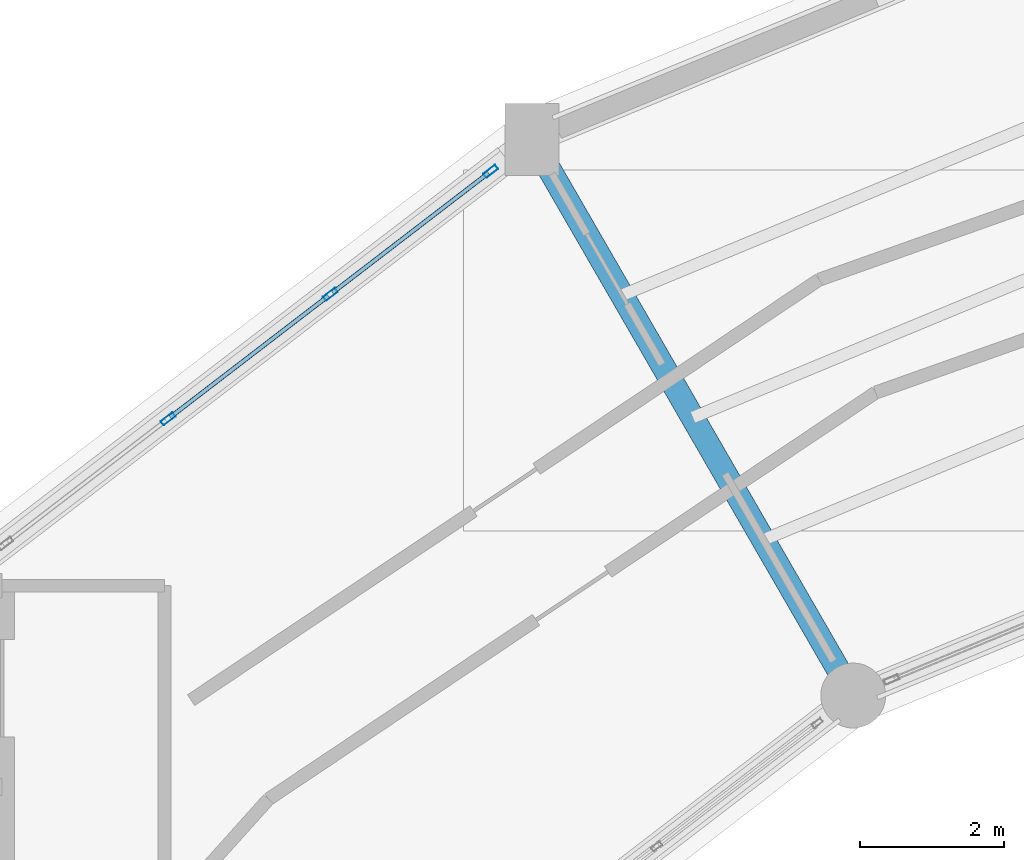
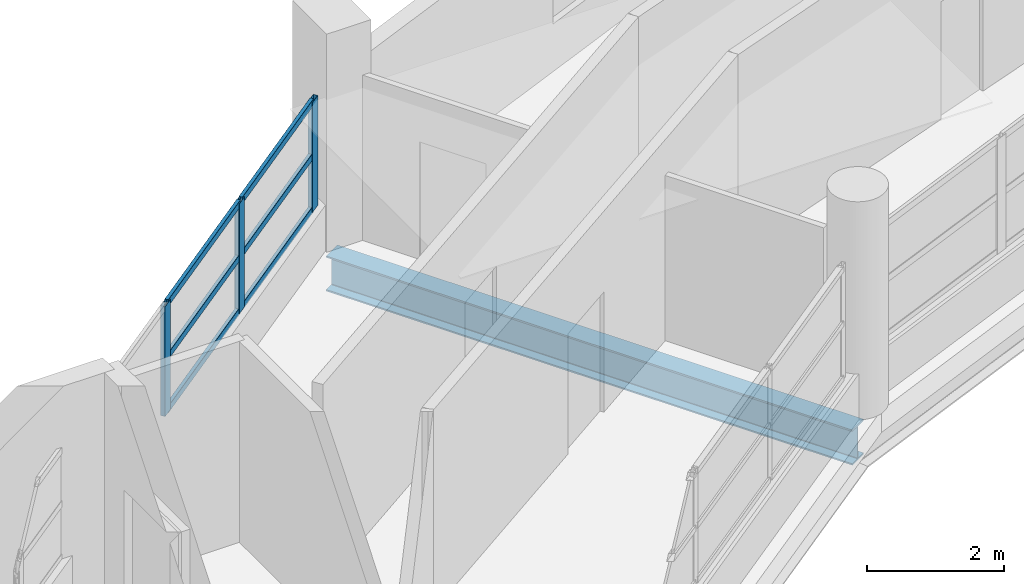
# One storey, part 64 of 108: 9 members, 1 beam, 1 element without a shape of its own.
"""IFC4 building model written with IfcOpenShell, lengths in metres."""

import ifcopenshell
import ifcopenshell.guid

model = None  # the IFC model being written
_history = None  # IfcOwnerHistory: only IFC2X3 demands one
_inside = {}  # id of a spatial element -> (the spatial element, [elements in it])
_under = {}  # id of a project, library or spatial element -> (it, [spatial elements below it])
_declared = {}  # id of a project -> (the project, [libraries it declares])
_typed = {}  # id of a type object -> (the type object, [elements of that type])
_made_of = {}  # id of a material, layer set ... -> (it, [elements and type objects made of it])


def new_model(schema):
    """Start an empty IFC model of exactly this schema.

    Asked for "IFC4X3", IfcOpenShell would pick the latest addendum, in which some entities
    have other attributes; the version numbers below select the first issue.
    IFC2X3 requires an IfcOwnerHistory on every rooted entity: one is made here for all.
    """
    global model, _history
    if schema == "IFC4X3":
        model = ifcopenshell.file(schema_version=(4, 3, 0, 0))
    else:
        model = ifcopenshell.file(schema=schema)
    _inside.clear()
    _under.clear()
    _declared.clear()
    _typed.clear()
    _made_of.clear()
    _history = None
    if model.schema == "IFC2X3":
        org = make("IfcOrganization", Name="unknown")
        user = make(
            "IfcPersonAndOrganization",
            ThePerson=make("IfcPerson", FamilyName="unknown"),
            TheOrganization=org,
        )
        app = make(
            "IfcApplication",
            ApplicationDeveloper=org,
            Version="unknown",
            ApplicationFullName="unknown",
            ApplicationIdentifier="unknown",
        )
        _history = make(
            "IfcOwnerHistory",
            OwningUser=user,
            OwningApplication=app,
            ChangeAction="ADDED",
            CreationDate=0,
        )
    return model


def make(cls, **values):
    """One entity of the class cls with the attributes given. An attribute that is None is left unset."""
    return model.create_entity(
        cls, **{name: value for name, value in values.items() if value is not None}
    )


def rooted(cls, **values):
    """An entity with a GlobalId (a new one), such as an element, a storey or a relation."""
    return make(cls, GlobalId=ifcopenshell.guid.new(), OwnerHistory=_history, **values)


def si_unit(unit_type, name, prefix=None):
    """IfcSIUnit, for example si_unit("LENGTHUNIT", "METRE", prefix="MILLI")."""
    return make("IfcSIUnit", UnitType=unit_type, Prefix=prefix, Name=name)


def assignment(units):
    """IfcUnitAssignment: the units of a project."""
    return None if units is None else make("IfcUnitAssignment", Units=units)


def point(xyz):
    """IfcCartesianPoint."""
    return None if xyz is None else make("IfcCartesianPoint", Coordinates=xyz)


def direction(xyz):
    """IfcDirection."""
    return None if xyz is None else make("IfcDirection", DirectionRatios=xyz)


def frame(location, z_axis=None, x_axis=None):
    """IfcAxis2Placement3D, a coordinate frame: its origin and axes. An axis left out is left unset."""
    return make(
        "IfcAxis2Placement3D",
        Location=point(location),
        Axis=direction(z_axis),
        RefDirection=direction(x_axis),
    )


def frame_2d(location, x_axis=None):
    """IfcAxis2Placement2D, a coordinate frame in the plane: its origin and x axis."""
    return make(
        "IfcAxis2Placement2D", Location=point(location), RefDirection=direction(x_axis)
    )


def origin():
    """The frame at (0, 0, 0) with its axes left unset."""
    return frame((0.0, 0.0, 0.0))


def origin_2d():
    """The frame at (0, 0) in the plane with its x axis left unset."""
    return frame_2d((0.0, 0.0))


def place(relative_to, where):
    """IfcLocalPlacement: puts the frame where relative to a parent placement (None: the world)."""
    return make(
        "IfcLocalPlacement", PlacementRelTo=relative_to, RelativePlacement=where
    )


def context(
    kind, dimensions, precision=None, world=None, true_north=None, identifier=None
):
    """IfcGeometricRepresentationContext, for example the 3D "Model" context."""
    return make(
        "IfcGeometricRepresentationContext",
        ContextIdentifier=identifier,
        ContextType=kind,
        CoordinateSpaceDimension=dimensions,
        Precision=precision,
        WorldCoordinateSystem=world,
        TrueNorth=true_north,
    )


def subcontext(parent, identifier, kind, view, scale=None):
    """IfcGeometricRepresentationSubContext, for example "Body" below "Model"."""
    return make(
        "IfcGeometricRepresentationSubContext",
        ContextIdentifier=identifier,
        ContextType=kind,
        ParentContext=parent,
        TargetScale=scale,
        TargetView=view,
    )


def project(units=None, contexts=None):
    """IfcProject with its units and contexts."""
    return rooted(
        "IfcProject",
        Name="project",
        RepresentationContexts=contexts,
        UnitsInContext=assignment(units),
    )


def spatial(cls, under=None, at=None, **own):
    """A site, building, storey or space (cls), placed at a placement, below another one or the project."""
    s = rooted(cls, ObjectPlacement=at, **own)
    if under is not None:
        _under.setdefault(under.id(), (under, []))[1].append(s)
    return s


def profile(cls, at=None, kind="AREA", **sizes):
    """A parametric profile (cls). Its sizes go by their IFC names, for example OverallWidth=200.0."""
    return make(cls, ProfileType=kind, Position=at, **sizes)


def hollow_rectangle(**sizes):
    """IfcRectangleHollowProfileDef."""
    return profile("IfcRectangleHollowProfileDef", **sizes)


def i_section(**sizes):
    """IfcIShapeProfileDef."""
    return profile("IfcIShapeProfileDef", **sizes)


def extrude(swept, where, along, depth):
    """IfcExtrudedAreaSolid: the profile swept, set in the frame where, extruded along a direction by depth."""
    return make(
        "IfcExtrudedAreaSolid",
        SweptArea=swept,
        Position=where,
        ExtrudedDirection=direction(along),
        Depth=depth,
    )


def shape(context_of_items, identifier, shape_type, items):
    """IfcShapeRepresentation: the items that make up one representation, for example the "Body"."""
    return make(
        "IfcShapeRepresentation",
        ContextOfItems=context_of_items,
        RepresentationIdentifier=identifier,
        RepresentationType=shape_type,
        Items=items,
    )


def material(Name=None, Category=None):
    """IfcMaterial."""
    return make("IfcMaterial", Name=Name, Category=Category)


def layer(
    of_material, thickness, ventilated=None, Name=None, Category=None, Priority=None
):
    """IfcMaterialLayer: one layer of a wall or slab, of a material (None: an air gap)."""
    return make(
        "IfcMaterialLayer",
        Material=of_material,
        LayerThickness=thickness,
        IsVentilated=ventilated,
        Name=Name,
        Category=Category,
        Priority=Priority,
    )


def layer_set(layers, Name=None):
    """IfcMaterialLayerSet."""
    return make("IfcMaterialLayerSet", MaterialLayers=layers, LayerSetName=Name)


def material_profile(
    of_material, cross_section, Name=None, Category=None, Priority=None
):
    """IfcMaterialProfile: a cross section and its material."""
    return make(
        "IfcMaterialProfile",
        Name=Name,
        Material=of_material,
        Profile=cross_section,
        Priority=Priority,
        Category=Category,
    )


def profile_set(profiles, Name=None, composite=None):
    """IfcMaterialProfileSet."""
    return make(
        "IfcMaterialProfileSet",
        Name=Name,
        MaterialProfiles=profiles,
        CompositeProfile=composite,
    )


def made_of(thing, what):
    """Note that an element or type object is made of a material, layer set ...; save() writes the relation."""
    if what is not None:
        _made_of.setdefault(what.id(), (what, []))[1].append(thing)
    return thing


def type_object(cls, material=None, **own):
    """A type object (cls), such as IfcWallType, which elements share."""
    return made_of(rooted(cls, **own), material)


def element(
    cls,
    number,
    at=None,
    inside=None,
    cuts=None,
    type_object=None,
    material=None,
    context=None,
    identifier="Body",
    shape_type=None,
    held_by="IfcProductDefinitionShape",
    body=None,
    shapes=None,
    **own,
):
    """One element of the class cls, such as IfcWall. Its Tag is "e" and its number.

    at: its placement. inside: the storey or other place that contains it. cuts: it is an
    opening in that element (IfcRelVoidsElement). A single representation is given by context,
    identifier, shape_type and body (its items); several are given by shapes. held_by: the class
    of the entity that holds the representations. save() writes the other relations.
    """
    e = rooted(cls, Tag="e%d" % number, ObjectPlacement=at, **own)
    if body is not None:
        shapes = [shape(context, identifier, shape_type, body)]
    if shapes is not None:
        e.Representation = make(held_by, Representations=shapes)
    if inside is not None:
        _inside.setdefault(inside.id(), (inside, []))[1].append(e)
    if cuts is not None:
        rooted(
            "IfcRelVoidsElement", RelatingBuildingElement=cuts, RelatedOpeningElement=e
        )
    if type_object is not None:
        _typed.setdefault(type_object.id(), (type_object, []))[1].append(e)
    return made_of(e, material)


def aggregate(whole, parts):
    """IfcRelAggregates: a whole, such as a stair, and the parts it consists of."""
    return rooted("IfcRelAggregates", RelatingObject=whole, RelatedObjects=parts)


def save(model, path):
    """Write the relations noted so far, then the file.

    IfcRelAggregates (storeys below a building ...), IfcRelContainedInSpatialStructure (elements
    in a storey), IfcRelDefinesByType, IfcRelAssociatesMaterial and IfcRelDeclares: one each for
    every whole, place, type object, material and project.
    """
    for whole, parts in _under.values():
        aggregate(whole, parts)
    for where, things in _inside.values():
        rooted(
            "IfcRelContainedInSpatialStructure",
            RelatedElements=things,
            RelatingStructure=where,
        )
    for kind, things in _typed.values():
        rooted("IfcRelDefinesByType", RelatedObjects=things, RelatingType=kind)
    for what, things in _made_of.values():
        rooted("IfcRelAssociatesMaterial", RelatedObjects=things, RelatingMaterial=what)
    for by, libraries in _declared.values():
        rooted("IfcRelDeclares", RelatingContext=by, RelatedDefinitions=libraries)
    model.write(path)


model = new_model("IFC4")

# Units and contexts
model_context = context("Model", 3, precision=1e-05, world=origin(), true_north=direction((0.0, 1.0)))
body_context = subcontext(model_context, "Body", "Model", "MODEL_VIEW")
ifc_project = project(units=[si_unit("LENGTHUNIT", "METRE"), si_unit("AREAUNIT", "SQUARE_METRE"), si_unit("VOLUMEUNIT", "CUBIC_METRE"), si_unit("PLANEANGLEUNIT", "RADIAN"), si_unit("MASSUNIT", "GRAM", prefix="KILO")], contexts=[model_context])

# Site, building, storey
site_placement = place(None, origin())
site = spatial("IfcSite", under=ifc_project, at=site_placement, CompositionType="ELEMENT")
building_placement = place(site_placement, origin())
building = spatial("IfcBuilding", under=site, at=building_placement, Name="Vespera Passage Community Centre", CompositionType="ELEMENT")
storey_placement = place(building_placement, frame((0.0, 0.0, 12.60009765625)))
storey = spatial("IfcBuildingStorey", under=building, at=storey_placement, Name="L03", CompositionType="ELEMENT", Elevation=12.60009765625)

# Beam
ifc_material_1 = material(Name="Steel ASTM A992 Grade 50", Category="steel")
ifc_material_profile_1 = material_profile(ifc_material_1, i_section(OverallWidth=0.32763671875, OverallDepth=0.62841796875, WebThickness=0.0166015625, FlangeThickness=0.027587890625, FilletRadius=0.0126953125, at=origin_2d()), Name="W24X146")
ifc_profile_set_1 = profile_set([ifc_material_profile_1], Name="Steel ASTM A992 Grade 50")
beam_type = type_object("IfcBeamType", Name="BM-G-W24X146", PredefinedType="BEAM", material=ifc_profile_set_1)
beam_placement = place(storey_placement, frame((59.39990234375, 97.716064453125, -0.71435546875), z_axis=(-0.499989191739, 0.866031643847, 0.0), x_axis=(-0.866031643847, -0.499989191739, 0.0)))
element("IfcBeam", 1, at=beam_placement, inside=storey, type_object=beam_type, Name="V4 L03 Radial Girder 8", PredefinedType="BEAM", context=body_context, shape_type="SweptSolid", body=[
    extrude(i_section(OverallWidth=0.32763671875, OverallDepth=0.62841796875, WebThickness=0.0166015625, FlangeThickness=0.027587890625, FilletRadius=0.0126953125, at=origin_2d()), origin(), (0.0, 0.0, 1.0), 8.900146484375),
])

# Curtain wall, members
ifc_material_2 = material(Name="Anodized aluminium 6063-T6", Category="aluminium")
ifc_layer = layer(ifc_material_2, 0.159912109375)
ifc_layer_set = layer_set([ifc_layer], Name="Anodized aluminium 6063-T6")
curtain_wall_type = type_object("IfcCurtainWallType", Name="CW-44E", PredefinedType="NOTDEFINED", material=ifc_layer_set)
curtain_wall_placement = place(storey_placement, origin())
curtain_wall = element("IfcCurtainWall", 2, at=curtain_wall_placement, inside=storey, type_object=curtain_wall_type, Name="V4 L03 Outer Ribbon Curtain Wall 8", PredefinedType="NOTDEFINED")
ifc_material_3 = material(Name="Anodized aluminium 6063-T6", Category="aluminium")
ifc_material_profile_2 = material_profile(ifc_material_3, hollow_rectangle(XDim=0.074951171875, YDim=0.2099609375, WallThickness=0.0048828125, InnerFilletRadius=0.00244140625, OuterFilletRadius=0.0048828125, at=origin_2d()), Name="ALU210X75X5")
ifc_profile_set_2 = profile_set([ifc_material_profile_2], Name="Anodized aluminium 6063-T6")
member_type_1 = type_object("IfcMemberType", Name="MB-CWM-210E", PredefinedType="MULLION", material=ifc_profile_set_2)
member_1_placement = place(storey_placement, frame((49.9033203125, 101.551513671875, 0.81982421875), z_axis=(0.0, 0.0, 1.0), x_axis=(-0.608768221519, 0.793348128169, 0.0)))
member_1 = element("IfcMember", 3, at=member_1_placement, type_object=member_type_1, Name="CW-44E mullion 3", PredefinedType="MULLION", context=body_context, shape_type="SweptSolid", body=[
    extrude(hollow_rectangle(XDim=0.074951171875, YDim=0.2099609375, WallThickness=0.0048828125, InnerFilletRadius=0.00244140625, OuterFilletRadius=0.0048828125, at=origin_2d()), origin(), (0.0, 0.0, 1.0), 1.965576171875),
])
member_2_placement = place(storey_placement, frame((52.15380859375, 103.2783203125, 0.81982421875), z_axis=(0.0, 0.0, 1.0), x_axis=(-0.608768221519, 0.793348128169, 0.0)))
member_2 = element("IfcMember", 4, at=member_2_placement, type_object=member_type_1, Name="CW-44E mullion 4", PredefinedType="MULLION", context=body_context, shape_type="SweptSolid", body=[
    extrude(hollow_rectangle(XDim=0.074951171875, YDim=0.2099609375, WallThickness=0.0048828125, InnerFilletRadius=0.00244140625, OuterFilletRadius=0.0048828125, at=origin_2d()), origin(), (0.0, 0.0, 1.0), 1.965576171875),
])
member_3_placement = place(storey_placement, frame((54.374755859375, 104.982421875, 0.81982421875), z_axis=(0.0, 0.0, 1.0), x_axis=(-0.608768221519, 0.793348128169, 0.0)))
member_3 = element("IfcMember", 5, at=member_3_placement, type_object=member_type_1, Name="CW-44E mullion 5", PredefinedType="MULLION", context=body_context, shape_type="SweptSolid", body=[
    extrude(hollow_rectangle(XDim=0.074951171875, YDim=0.2099609375, WallThickness=0.0048828125, InnerFilletRadius=0.00244140625, OuterFilletRadius=0.0048828125, at=origin_2d()), origin(), (0.0, 0.0, 1.0), 1.965576171875),
])
ifc_material_4 = material(Name="Anodized aluminium 6063-T6", Category="aluminium")
ifc_material_profile_3 = material_profile(ifc_material_4, hollow_rectangle(XDim=0.06005859375, YDim=0.1201171875, WallThickness=0.00390625, InnerFilletRadius=0.001953125, OuterFilletRadius=0.00390625, at=origin_2d()), Name="ALU120X60X4")
ifc_profile_set_3 = profile_set([ifc_material_profile_3], Name="Anodized aluminium 6063-T6")
member_type_2 = type_object("IfcMemberType", Name="MB-CWT-120E", PredefinedType="USERDEFINED", material=ifc_profile_set_3)
member_4_placement = place(storey_placement, frame((49.93310546875, 101.57421875, 0.849853515625), z_axis=(0.793385774295, 0.60871915786, 0.0), x_axis=(-0.60871915786, 0.793385774295, 0.0)))
member_4 = element("IfcMember", 6, at=member_4_placement, type_object=member_type_2, Name="CW-44E transom 3.1", ObjectType="TRANSOM", PredefinedType="USERDEFINED", context=body_context, shape_type="SweptSolid", body=[
    extrude(hollow_rectangle(XDim=0.06005859375, YDim=0.1201171875, WallThickness=0.00390625, InnerFilletRadius=0.001953125, OuterFilletRadius=0.00390625, at=origin_2d()), origin(), (0.0, 0.0, 1.0), 2.76171875),
])
member_5_placement = place(storey_placement, frame((49.93310546875, 101.57421875, 1.802734375), z_axis=(0.793385774295, 0.60871915786, 0.0), x_axis=(-0.60871915786, 0.793385774295, 0.0)))
member_5 = element("IfcMember", 7, at=member_5_placement, type_object=member_type_2, Name="CW-44E transom 3.2", ObjectType="TRANSOM", PredefinedType="USERDEFINED", context=body_context, shape_type="SweptSolid", body=[
    extrude(hollow_rectangle(XDim=0.06005859375, YDim=0.1201171875, WallThickness=0.00390625, InnerFilletRadius=0.001953125, OuterFilletRadius=0.00390625, at=origin_2d()), origin(), (0.0, 0.0, 1.0), 2.76171875),
])
member_6_placement = place(storey_placement, frame((49.93310546875, 101.57421875, 2.755615234375), z_axis=(0.793385774295, 0.60871915786, 0.0), x_axis=(-0.60871915786, 0.793385774295, 0.0)))
member_6 = element("IfcMember", 8, at=member_6_placement, type_object=member_type_2, Name="CW-44E transom 3.3", ObjectType="TRANSOM", PredefinedType="USERDEFINED", context=body_context, shape_type="SweptSolid", body=[
    extrude(hollow_rectangle(XDim=0.06005859375, YDim=0.1201171875, WallThickness=0.00390625, InnerFilletRadius=0.001953125, OuterFilletRadius=0.00390625, at=origin_2d()), origin(), (0.0, 0.0, 1.0), 2.76171875),
])
member_7_placement = place(storey_placement, frame((52.18359375, 103.301025390625, 0.849853515625), z_axis=(0.793359651626, 0.608753203829, 0.0), x_axis=(-0.608753203829, 0.793359651626, 0.0)))
member_7 = element("IfcMember", 9, at=member_7_placement, type_object=member_type_2, Name="CW-44E transom 4.1", ObjectType="TRANSOM", PredefinedType="USERDEFINED", context=body_context, shape_type="SweptSolid", body=[
    extrude(hollow_rectangle(XDim=0.06005859375, YDim=0.1201171875, WallThickness=0.00390625, InnerFilletRadius=0.001953125, OuterFilletRadius=0.00390625, at=origin_2d()), origin(), (0.0, 0.0, 1.0), 2.724365234375),
])
member_8_placement = place(storey_placement, frame((52.18359375, 103.301025390625, 1.802734375), z_axis=(0.793359651626, 0.608753203829, 0.0), x_axis=(-0.608753203829, 0.793359651626, 0.0)))
member_8 = element("IfcMember", 10, at=member_8_placement, type_object=member_type_2, Name="CW-44E transom 4.2", ObjectType="TRANSOM", PredefinedType="USERDEFINED", context=body_context, shape_type="SweptSolid", body=[
    extrude(hollow_rectangle(XDim=0.06005859375, YDim=0.1201171875, WallThickness=0.00390625, InnerFilletRadius=0.001953125, OuterFilletRadius=0.00390625, at=origin_2d()), origin(), (0.0, 0.0, 1.0), 2.724365234375),
])
member_9_placement = place(storey_placement, frame((52.18359375, 103.301025390625, 2.755615234375), z_axis=(0.793359651626, 0.608753203829, 0.0), x_axis=(-0.608753203829, 0.793359651626, 0.0)))
member_9 = element("IfcMember", 11, at=member_9_placement, type_object=member_type_2, Name="CW-44E transom 4.3", ObjectType="TRANSOM", PredefinedType="USERDEFINED", context=body_context, shape_type="SweptSolid", body=[
    extrude(hollow_rectangle(XDim=0.06005859375, YDim=0.1201171875, WallThickness=0.00390625, InnerFilletRadius=0.001953125, OuterFilletRadius=0.00390625, at=origin_2d()), origin(), (0.0, 0.0, 1.0), 2.724365234375),
])
aggregate(curtain_wall, [member_1, member_2, member_3, member_4, member_5, member_6, member_7, member_8, member_9])

save(model, "model.ifc")
